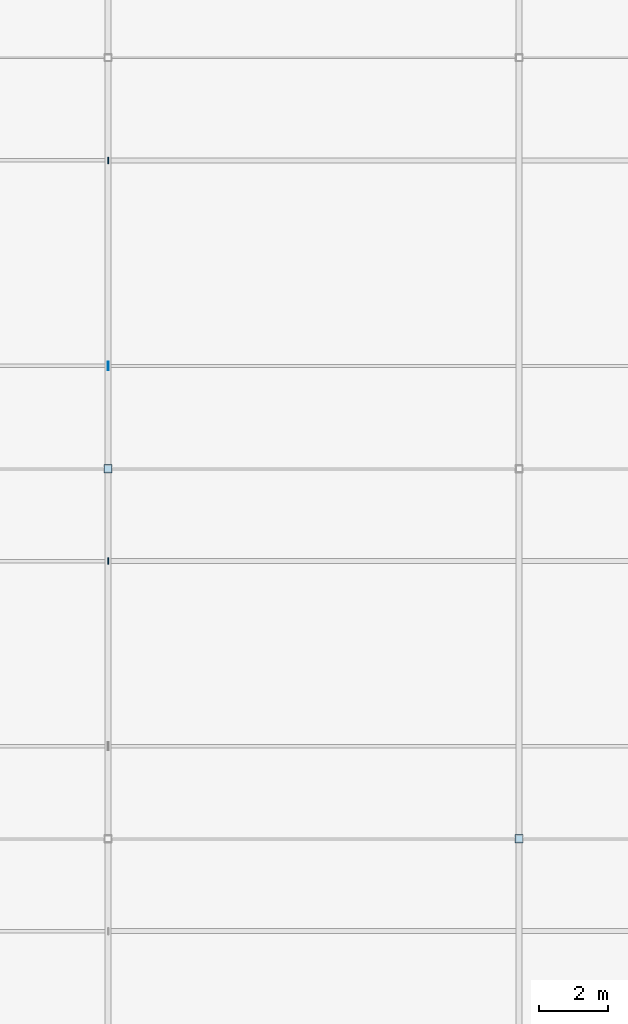
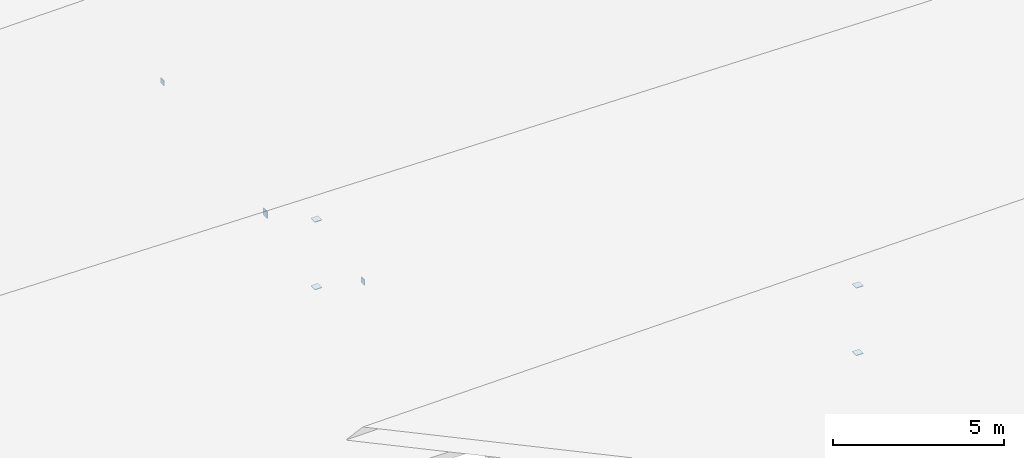
# One storey, part 156 of 226: 7 plates.
"""IFC4 building model written with IfcOpenShell, lengths in metres."""

from ifc_helpers import new_model, si_unit, direction, frame, origin, origin_2d, place, context, subcontext, project, spatial, rectangle, extrude, material, layer, layer_set, type_object, element, save


model = new_model("IFC4")

# Units and contexts
model_context = context("Model", 3, precision=1e-05, world=origin(), true_north=direction((0.0, 1.0)))
body_context = subcontext(model_context, "Body", "Model", "MODEL_VIEW")
ifc_project = project(units=[si_unit("LENGTHUNIT", "METRE"), si_unit("AREAUNIT", "SQUARE_METRE"), si_unit("VOLUMEUNIT", "CUBIC_METRE"), si_unit("PLANEANGLEUNIT", "RADIAN"), si_unit("MASSUNIT", "GRAM", prefix="KILO")], contexts=[model_context])

# Site, building, storey
site_placement = place(None, origin())
site = spatial("IfcSite", under=ifc_project, at=site_placement, CompositionType="ELEMENT")
building_placement = place(site_placement, origin())
building = spatial("IfcBuilding", under=site, at=building_placement, Name="Tarnwether General Hospital", CompositionType="ELEMENT")
storey_placement = place(building_placement, frame((0.0, 0.0, 4.800048828125)))
storey = spatial("IfcBuildingStorey", under=building, at=storey_placement, Name="L01", CompositionType="ELEMENT", Elevation=4.800048828125)

# Plates
ifc_material = material(Name="Steel Grade 350 (350 MPa)", Category="steel")
ifc_layer = layer(ifc_material, 0.02490234375)
ifc_layer_set = layer_set([ifc_layer], Name="Steel Grade 350 (350 MPa)")
plate_type = type_object("IfcPlateType", Name="PT-GUS2", PredefinedType="USERDEFINED", material=ifc_layer_set)
for number, where, z_axis, x_axis, name in (
    (1, (36.0, 10.800048828125, -0.405029296875), (0.0, 0.0, 1.0), (1.0, 0.0, 0.0), "Hollow Section Welded End Cap Plate 1399"),
    (2, (36.0, 10.800048828125, 2.0), (0.0, 0.0, 1.0), (1.0, 0.0, 0.0), "Hollow Section Welded End Cap Plate 1400"),
    (3, (24.0, 21.60009765625, -0.405029296875), (0.0, 0.0, 1.0), (1.0, 0.0, 0.0), "Hollow Section Welded End Cap Plate 1411"),
    (4, (24.0, 21.60009765625, 2.0), (0.0, 0.0, 1.0), (1.0, 0.0, 0.0), "Hollow Section Welded End Cap Plate 1412"),
):
    element("IfcPlate", number, at=place(storey_placement, frame(where, z_axis=z_axis, x_axis=x_axis)), inside=storey, type_object=plate_type, Name=name, ObjectType="GUSSET", PredefinedType="USERDEFINED", context=body_context, shape_type="SweptSolid", body=[
        extrude(rectangle(XDim=0.239990234375, YDim=0.239990234375, at=origin_2d()), origin(), (0.0, 0.0, 1.0), 0.02490234375),
    ])
plate_1_placement = place(storey_placement, frame((24.012451171875, 18.89990234375, 1.344970703125), z_axis=(0.0, 0.0, 1.0), x_axis=(1.0, 0.0, 0.0)))
element("IfcPlate", 5, at=plate_1_placement, inside=storey, type_object=plate_type, Name="Hollow Section Welded End Cap Plate 1420", ObjectType="GUSSET", PredefinedType="USERDEFINED", context=body_context, shape_type="SweptSolid", body=[
    extrude(rectangle(XDim=0.02490234375, YDim=0.18994140625, at=origin_2d()), origin(), (0.0, 0.0, 1.0), 0.18994140625),
])
plate_2_placement = place(storey_placement, frame((24.012451171875, 24.60009765625, 0.27978515625), z_axis=(0.0, 0.0, 1.0), x_axis=(1.0, 0.0, 0.0)))
element("IfcPlate", 6, at=plate_2_placement, inside=storey, type_object=plate_type, Name="Hollow Section Welded End Cap Plate 1432", ObjectType="GUSSET", PredefinedType="USERDEFINED", context=body_context, shape_type="SweptSolid", body=[
    extrude(rectangle(XDim=0.02490234375, YDim=0.239990234375, at=origin_2d()), origin(), (0.0, 0.0, 1.0), 0.239990234375),
])
plate_3_placement = place(storey_placement, frame((24.012451171875, 30.60009765625, 1.344970703125), z_axis=(0.0, 0.0, 1.0), x_axis=(1.0, 0.0, 0.0)))
element("IfcPlate", 7, at=plate_3_placement, inside=storey, type_object=plate_type, Name="Hollow Section Welded End Cap Plate 1434", ObjectType="GUSSET", PredefinedType="USERDEFINED", context=body_context, shape_type="SweptSolid", body=[
    extrude(rectangle(XDim=0.02490234375, YDim=0.18994140625, at=origin_2d()), origin(), (0.0, 0.0, 1.0), 0.18994140625),
])

save(model, "model.ifc")
